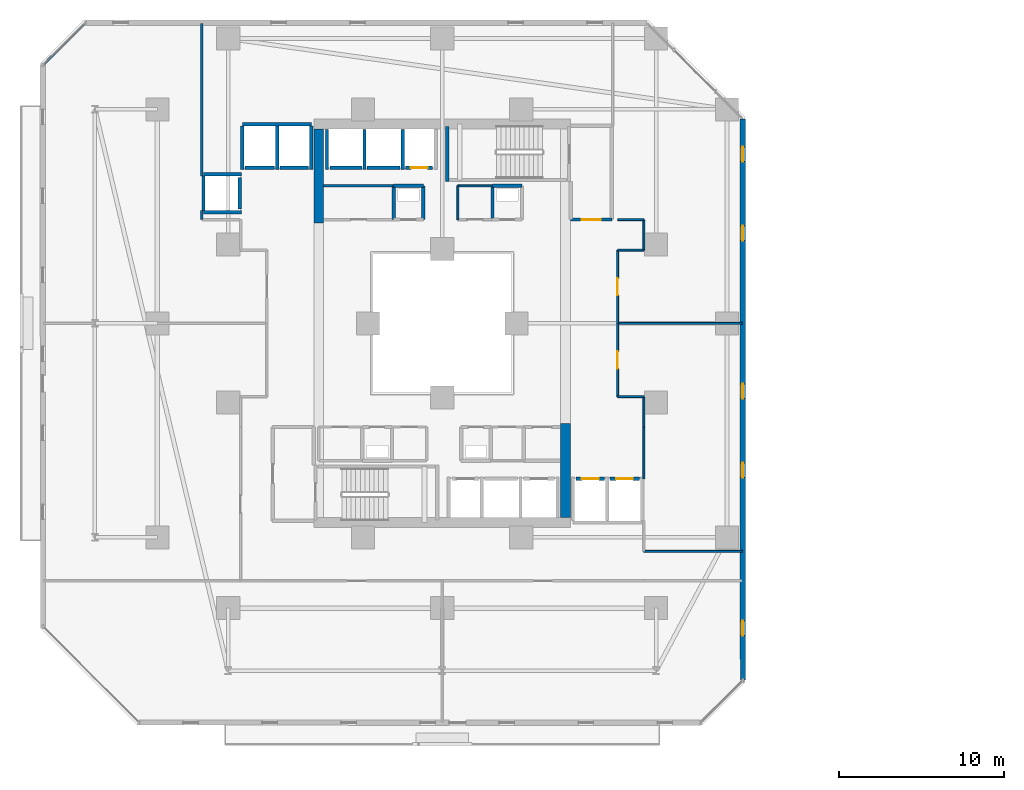
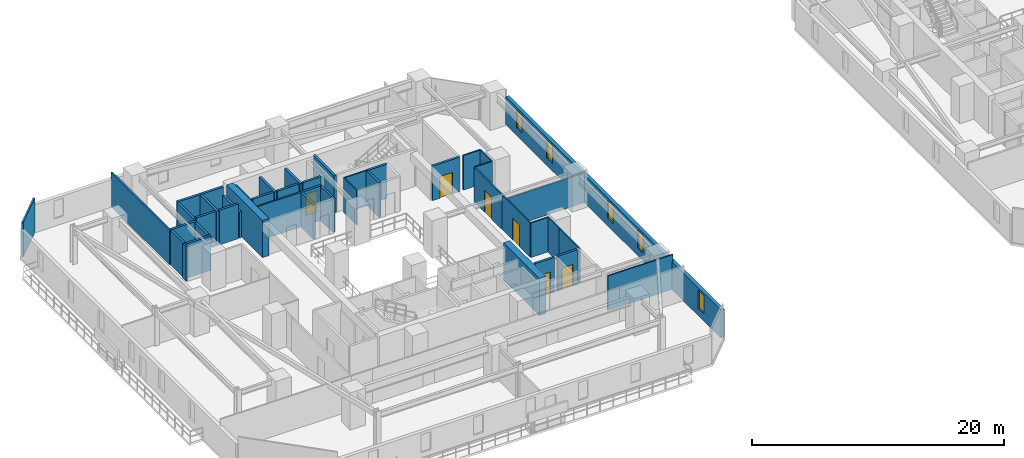
# One storey, part 20 of 33: 44 walls, 6 doors, 5 windows, 11 openings.
"""IFC4 building model written with IfcOpenShell, lengths in metres."""

from ifc_helpers import new_model, si_unit, direction, frame, frame_2d, origin, place, context, subcontext, project, spatial, rectangle, extrude, material, layer, layer_set, type_object, element, fill, save


model = new_model("IFC4")

# Units and contexts
model_context = context("Model", 3, precision=1e-05, world=origin(), true_north=direction((0.0, 1.0)))
body_context = subcontext(model_context, "Body", "Model", "MODEL_VIEW")
ifc_project = project(units=[si_unit("LENGTHUNIT", "METRE"), si_unit("AREAUNIT", "SQUARE_METRE"), si_unit("VOLUMEUNIT", "CUBIC_METRE"), si_unit("PLANEANGLEUNIT", "RADIAN"), si_unit("MASSUNIT", "GRAM", prefix="KILO")], contexts=[model_context])

# Site, building, storey
site_placement = place(None, origin())
site = spatial("IfcSite", under=ifc_project, at=site_placement, CompositionType="ELEMENT")
building_placement = place(site_placement, origin())
building = spatial("IfcBuilding", under=site, at=building_placement, Name="Thornwick Lancets Civic Towers", CompositionType="ELEMENT")
storey_placement = place(building_placement, frame((0.0, 0.0, 31.5)))
storey = spatial("IfcBuildingStorey", under=building, at=storey_placement, Name="L07", CompositionType="ELEMENT", Elevation=31.5)

# Wall, opening, door
ifc_material_1 = material(Name="Concrete blockwork C40/50", Category="masonry")
ifc_layer_1 = layer(ifc_material_1, 0.199951171875, Name="Concrete blockwork C40/50")
ifc_layer_set_1 = layer_set([ifc_layer_1], Name="Concrete blockwork C40/50")
wall_type_1 = type_object("IfcWallType", Name="WALL_COMP_200", PredefinedType="STANDARD", material=ifc_layer_set_1)
wall_1_placement = place(storey_placement, frame((33.6298828125, 17.550048828125, 0.0), z_axis=(0.0, 0.0, 1.0), x_axis=(1.0, 0.0, 0.0)))
wall_1 = element("IfcWall", 1, at=wall_1_placement, inside=storey, type_object=wall_type_1, Name="L07 Hoistway Front Wall PL-AL2", PredefinedType="STANDARD", context=body_context, shape_type="SweptSolid", body=[
    extrude(rectangle(XDim=1.740234375, YDim=0.199951171875, at=frame_2d((0.8701171875, 0.0))), origin(), (0.0, 0.0, 1.0), 3.340087890625),
])
opening_1_placement = place(wall_1_placement, frame((0.360107421875, 0.0, 0.0)))
opening_1 = element("IfcOpeningElement", 2, at=opening_1_placement, cuts=wall_1, Name="Opening LD-PL-AL2", PredefinedType="OPENING", context=body_context, shape_type="SweptSolid", body=[
    extrude(rectangle(XDim=1.02001953125, YDim=2.06005859375, at=frame_2d((0.510009765625, 1.030029296875))), frame((0.0, 0.10986328125, 0.0), z_axis=(0.0, -1.0, 0.0), x_axis=(1.0, 0.0, 0.0)), (0.0, 0.0, 1.0), 0.219970703125),
])
ifc_material_2 = material(Name="Brushed bronze stainless steel", Category="steel")
door_type_1 = type_object("IfcDoorType", Name="DOOR_LIFT_SLIDE", OperationType="SLIDING_TO_LEFT", PredefinedType="DOOR", material=ifc_material_2)
door_1_placement = place(opening_1_placement, origin())
door_1 = element("IfcDoor", 3, at=door_1_placement, inside=storey, type_object=door_type_1, Name="L07 Sliding Lift Landing Door LD-PL-AL2", OperationType="SLIDING_TO_LEFT", OverallHeight=2.06005859375, OverallWidth=1.02001953125, PredefinedType="DOOR", context=body_context, shape_type="SweptSolid", body=[
    extrude(rectangle(XDim=1.02001953125, YDim=2.06005859375, at=frame_2d((0.510009765625, 1.030029296875))), frame((0.0, 0.02490234375, 0.0), z_axis=(0.0, -1.0, 0.0), x_axis=(1.0, 0.0, 0.0)), (0.0, 0.0, 1.0), 0.050048828125),
])
fill(opening_1, door_1)

wall_2_placement = place(storey_placement, frame((35.679931640625, 17.550048828125, 0.0), z_axis=(0.0, 0.0, 1.0), x_axis=(1.0, 0.0, 0.0)))
wall_2 = element("IfcWall", 4, at=wall_2_placement, inside=storey, type_object=wall_type_1, Name="L07 Hoistway Front Wall PL-AL3", PredefinedType="STANDARD", context=body_context, shape_type="SweptSolid", body=[
    extrude(rectangle(XDim=1.7900390625, YDim=0.199951171875, at=frame_2d((0.89501953125, 0.0))), origin(), (0.0, 0.0, 1.0), 3.340087890625),
])
opening_2_placement = place(wall_2_placement, frame((0.385009765625, 0.0, 0.0)))
opening_2 = element("IfcOpeningElement", 5, at=opening_2_placement, cuts=wall_2, Name="Opening LD-PL-AL3", PredefinedType="OPENING", context=body_context, shape_type="SweptSolid", body=[
    extrude(rectangle(XDim=1.02001953125, YDim=2.06005859375, at=frame_2d((0.510009765625, 1.030029296875))), frame((0.0, 0.10986328125, 0.0), z_axis=(0.0, -1.0, 0.0), x_axis=(1.0, 0.0, 0.0)), (0.0, 0.0, 1.0), 0.219970703125),
])
door_2_placement = place(opening_2_placement, origin())
door_2 = element("IfcDoor", 6, at=door_2_placement, inside=storey, type_object=door_type_1, Name="L07 Sliding Lift Landing Door LD-PL-AL3", OperationType="SLIDING_TO_LEFT", OverallHeight=2.06005859375, OverallWidth=1.02001953125, PredefinedType="DOOR", context=body_context, shape_type="SweptSolid", body=[
    extrude(rectangle(XDim=1.02001953125, YDim=2.06005859375, at=frame_2d((0.510009765625, 1.030029296875))), frame((0.0, 0.02490234375, 0.0), z_axis=(0.0, -1.0, 0.0), x_axis=(1.0, 0.0, 0.0)), (0.0, 0.0, 1.0), 0.050048828125),
])
fill(opening_2, door_2)

wall_3_placement = place(storey_placement, frame((24.919921875, 36.449951171875, 0.0), z_axis=(0.0, 0.0, 1.0), x_axis=(-1.0, 0.0, 0.0)))
wall_3 = element("IfcWall", 7, at=wall_3_placement, inside=storey, type_object=wall_type_1, Name="L07 Hoistway Front Wall FL-A2", PredefinedType="STANDARD", context=body_context, shape_type="SweptSolid", body=[
    extrude(rectangle(XDim=1.639892578125, YDim=0.199951171875, at=frame_2d((0.81982421875, 0.0))), origin(), (0.0, 0.0, 1.0), 3.340087890625),
])
opening_3_placement = place(wall_3_placement, frame((0.31005859375, 0.0, 0.0)))
opening_3 = element("IfcOpeningElement", 8, at=opening_3_placement, cuts=wall_3, Name="Opening LD-FL-A2", PredefinedType="OPENING", context=body_context, shape_type="SweptSolid", body=[
    extrude(rectangle(XDim=1.02001953125, YDim=2.06005859375, at=frame_2d((0.510009765625, 1.030029296875))), frame((0.0, 0.10986328125, 0.0), z_axis=(0.0, -1.0, 0.0), x_axis=(1.0, 0.0, 0.0)), (0.0, 0.0, 1.0), 0.219970703125),
])
door_3_placement = place(opening_3_placement, origin())
door_3 = element("IfcDoor", 9, at=door_3_placement, inside=storey, type_object=door_type_1, Name="L07 Sliding Lift Landing Door LD-FL-A2", OperationType="SLIDING_TO_LEFT", OverallHeight=2.06005859375, OverallWidth=1.02001953125, PredefinedType="DOOR", context=body_context, shape_type="SweptSolid", body=[
    extrude(rectangle(XDim=1.02001953125, YDim=2.06005859375, at=frame_2d((0.510009765625, 1.030029296875))), frame((0.0, 0.02490234375, 0.0), z_axis=(0.0, -1.0, 0.0), x_axis=(1.0, 0.0, 0.0)), (0.0, 0.0, 1.0), 0.050048828125),
])
fill(opening_3, door_3)

# Walls
wall_4_placement = place(storey_placement, frame((22.919921875, 36.449951171875, 0.0), z_axis=(0.0, 0.0, 1.0), x_axis=(-1.0, 0.0, 0.0)))
element("IfcWall", 10, at=wall_4_placement, inside=storey, type_object=wall_type_1, Name="L07 Hoistway Front Wall PL-AH2", PredefinedType="STANDARD", context=body_context, shape_type="SweptSolid", body=[
    extrude(rectangle(XDim=1.989990234375, YDim=0.199951171875, at=frame_2d((0.9951171875, 0.0))), origin(), (0.0, 0.0, 1.0), 3.340087890625),
])
wall_5_placement = place(storey_placement, frame((20.6201171875, 36.449951171875, 0.0), z_axis=(0.0, 0.0, 1.0), x_axis=(-1.0, 0.0, 0.0)))
element("IfcWall", 11, at=wall_5_placement, inside=storey, type_object=wall_type_1, Name="L07 Hoistway Front Wall PL-AH3", PredefinedType="STANDARD", context=body_context, shape_type="SweptSolid", body=[
    extrude(rectangle(XDim=1.940185546875, YDim=0.199951171875, at=frame_2d((0.97021484375, 0.0))), origin(), (0.0, 0.0, 1.0), 3.340087890625),
])
wall_6_placement = place(storey_placement, frame((17.3701171875, 36.449951171875, 0.0), z_axis=(0.0, 0.0, 1.0), x_axis=(-1.0, 0.0, 0.0)))
element("IfcWall", 12, at=wall_6_placement, inside=storey, type_object=wall_type_1, Name="L07 Hoistway Front Wall PL-AM1", PredefinedType="STANDARD", context=body_context, shape_type="SweptSolid", body=[
    extrude(rectangle(XDim=1.740234375, YDim=0.199951171875, at=frame_2d((0.8701171875, 0.0))), origin(), (0.0, 0.0, 1.0), 3.340087890625),
])
wall_7_placement = place(storey_placement, frame((15.320068359375, 36.449951171875, 0.0), z_axis=(0.0, 0.0, 1.0), x_axis=(-1.0, 0.0, 0.0)))
element("IfcWall", 13, at=wall_7_placement, inside=storey, type_object=wall_type_1, Name="L07 Hoistway Front Wall PL-AM2", PredefinedType="STANDARD", context=body_context, shape_type="SweptSolid", body=[
    extrude(rectangle(XDim=1.7900390625, YDim=0.199951171875, at=frame_2d((0.89501953125, 0.0))), origin(), (0.0, 0.0, 1.0), 3.340087890625),
])
wall_8_placement = place(storey_placement, frame((13.199951171875, 33.929931640625, 0.0), z_axis=(0.0, 0.0, 1.0), x_axis=(0.0, 1.0, 0.0)))
element("IfcWall", 14, at=wall_8_placement, inside=storey, type_object=wall_type_1, Name="L07 Hoistway Front Wall PL-AM3", PredefinedType="STANDARD", context=body_context, shape_type="SweptSolid", body=[
    extrude(rectangle(XDim=1.940185546875, YDim=0.199951171875, at=frame_2d((0.97021484375, 0.0))), origin(), (0.0, 0.0, 1.0), 3.340087890625),
])
for number, where, z_axis, x_axis, name in (
    (15, (23.10009765625, 36.35205078125, 0.0), (0.0, 0.0, 1.0), (0.0, 1.0, 0.0), "L07 Hoistway Shaft Wall FL-A2 W"),
    (16, (20.77490234375, 36.35205078125, 0.0), (0.0, 0.0, 1.0), (0.0, 1.0, 0.0), "L07 Hoistway Shaft Wall PL-AH2 W"),
    (17, (18.5, 36.35205078125, 0.0), (0.0, 0.0, 1.0), (0.0, 1.0, 0.0), "L07 Hoistway Shaft Wall PL-AH3 W"),
):
    element("IfcWall", number, at=place(storey_placement, frame(where, z_axis=z_axis, x_axis=x_axis)), inside=storey, type_object=wall_type_1, Name=name, PredefinedType="STANDARD", context=body_context, shape_type="SweptSolid", body=[
        extrude(rectangle(XDim=2.43603515625, YDim=0.199951171875, at=frame_2d((1.218017578125, 0.0))), origin(), (0.0, 0.0, 1.0), 3.340087890625),
    ])
wall_9_placement = place(storey_placement, frame((13.35205078125, 39.10009765625, 0.0), z_axis=(0.0, 0.0, 1.0), x_axis=(1.0, 0.0, 0.0)))
element("IfcWall", 18, at=wall_9_placement, inside=storey, type_object=wall_type_1, Name="L07 Hoistway Shaft Wall PL-AM1 N", PredefinedType="STANDARD", context=body_context, shape_type="SweptSolid", body=[
    extrude(rectangle(XDim=4.196044921875, YDim=0.199951171875, at=frame_2d((2.09814453125, 0.0))), origin(), (0.0, 0.0, 1.0), 3.340087890625),
])
wall_10_placement = place(storey_placement, frame((17.550048828125, 36.35205078125, 0.0), z_axis=(0.0, 0.0, 1.0), x_axis=(0.0, 1.0, 0.0)))
element("IfcWall", 19, at=wall_10_placement, inside=storey, type_object=wall_type_1, Name="L07 Hoistway Shaft Wall PL-AM1 E", PredefinedType="STANDARD", context=body_context, shape_type="SweptSolid", body=[
    extrude(rectangle(XDim=2.635986328125, YDim=0.199951171875, at=frame_2d((1.31787109375, 0.0))), origin(), (0.0, 0.0, 1.0), 2.544921875),
])
for number, where, z_axis, x_axis, name in (
    (20, (15.47509765625, 36.35205078125, 0.0), (0.0, 0.0, 1.0), (0.0, 1.0, 0.0), "L07 Hoistway Shaft Wall PL-AM1 W"),
    (21, (13.35009765625, 36.35205078125, 0.0), (0.0, 0.0, 1.0), (0.0, 1.0, 0.0), "L07 Hoistway Shaft Wall PL-AM2 W"),
):
    element("IfcWall", number, at=place(storey_placement, frame(where, z_axis=z_axis, x_axis=x_axis)), inside=storey, type_object=wall_type_1, Name=name, PredefinedType="STANDARD", context=body_context, shape_type="SweptSolid", body=[
        extrude(rectangle(XDim=2.635986328125, YDim=0.199951171875, at=frame_2d((1.31787109375, 0.0))), origin(), (0.0, 0.0, 1.0), 3.340087890625),
    ])
for number, where, z_axis, x_axis, name in (
    (22, (11.001953125, 36.050048828125, 0.0), (0.0, 0.0, 1.0), (1.0, 0.0, 0.0), "L07 Hoistway Shaft Wall PL-AM3 N"),
    (23, (11.001953125, 33.75, 0.0), (0.0, 0.0, 1.0), (1.0, 0.0, 0.0), "L07 Hoistway Shaft Wall PL-AM3 S"),
):
    element("IfcWall", number, at=place(storey_placement, frame(where, z_axis=z_axis, x_axis=x_axis)), inside=storey, type_object=wall_type_1, Name=name, PredefinedType="STANDARD", context=body_context, shape_type="SweptSolid", body=[
        extrude(rectangle(XDim=2.296142578125, YDim=0.199951171875, at=frame_2d((1.14794921875, 0.0))), origin(), (0.0, 0.0, 1.0), 3.340087890625),
    ])
wall_11_placement = place(storey_placement, frame((11.0, 33.862060546875, 0.0), z_axis=(0.0, 0.0, 1.0), x_axis=(0.0, 1.0, 0.0)))
element("IfcWall", 24, at=wall_11_placement, inside=storey, type_object=wall_type_1, Name="L07 Hoistway Shaft Wall PL-AM3 W", PredefinedType="STANDARD", context=body_context, shape_type="SweptSolid", body=[
    extrude(rectangle(XDim=2.075927734375, YDim=0.199951171875, at=frame_2d((1.0380859375, 0.0))), origin(), (0.0, 0.0, 1.0), 3.340087890625),
])

# Wall, opening, door
wall_12_placement = place(storey_placement, frame((33.300048828125, 33.300048828125, 0.0), z_axis=(0.0, 0.0, 1.0), x_axis=(1.0, 0.0, 0.0)))
wall_12 = element("IfcWall", 25, at=wall_12_placement, inside=storey, type_object=wall_type_1, Name="L07 Partition L07-A-FFLOB2 E1", PredefinedType="STANDARD", context=body_context, shape_type="SweptSolid", body=[
    extrude(rectangle(XDim=2.5, YDim=0.199951171875, at=frame_2d((1.25, 0.0))), origin(), (0.0, 0.0, 1.0), 3.340087890625),
])
opening_4_placement = place(wall_12_placement, frame((0.675048828125, 0.0, 0.0)))
opening_4 = element("IfcOpeningElement", 26, at=opening_4_placement, cuts=wall_12, Name="Opening D-L07-0362", PredefinedType="OPENING", context=body_context, shape_type="SweptSolid", body=[
    extrude(rectangle(XDim=1.14990234375, YDim=2.10009765625, at=frame_2d((0.574951171875, 1.050048828125))), frame((0.0, 0.10986328125, 0.0), z_axis=(0.0, -1.0, 0.0), x_axis=(1.0, 0.0, 0.0)), (0.0, 0.0, 1.0), 0.219970703125),
])
ifc_material_3 = material(Name="Glazed fire-resisting steel", Category="steel")
door_type_2 = type_object("IfcDoorType", Name="DOOR_LOBBY_FD60", OperationType="NOTDEFINED", PredefinedType="DOOR", material=ifc_material_3)
door_4_placement = place(opening_4_placement, origin())
door_4 = element("IfcDoor", 27, at=door_4_placement, inside=storey, type_object=door_type_2, Name="L07 North Firefighting Lobby 2 Door", OperationType="SINGLE_SWING_LEFT", OverallHeight=2.10009765625, OverallWidth=1.14990234375, PredefinedType="DOOR", context=body_context, shape_type="SweptSolid", body=[
    extrude(rectangle(XDim=1.14990234375, YDim=2.10009765625, at=frame_2d((0.574951171875, 1.050048828125))), frame((0.0, 0.02490234375, 0.0), z_axis=(0.0, -1.0, 0.0), x_axis=(1.0, 0.0, 0.0)), (0.0, 0.0, 1.0), 0.050048828125),
])
fill(opening_4, door_4)

# Walls
wall_13_placement = place(storey_placement, frame((24.35009765625, 33.300048828125, 0.0), z_axis=(0.0, 0.0, 1.0), x_axis=(0.0, 1.0, 0.0)))
element("IfcWall", 28, at=wall_13_placement, inside=storey, type_object=wall_type_1, Name="L07 Partition L07-A-DUCT2 E2", PredefinedType="STANDARD", context=body_context, shape_type="SweptSolid", body=[
    extrude(rectangle(XDim=2.050048828125, YDim=0.199951171875, at=frame_2d((1.02490234375, 0.0))), origin(), (0.0, 0.0, 1.0), 3.340087890625),
])
wall_14_placement = place(storey_placement, frame((24.35009765625, 35.35009765625, 0.0), z_axis=(0.0, 0.0, 1.0), x_axis=(-1.0, 0.0, 0.0)))
element("IfcWall", 29, at=wall_14_placement, inside=storey, type_object=wall_type_1, Name="L07 Partition L07-A-DUCT2 E3", PredefinedType="STANDARD", context=body_context, shape_type="SweptSolid", body=[
    extrude(rectangle(XDim=1.800048828125, YDim=0.199951171875, at=frame_2d((0.89990234375, 0.0))), origin(), (0.0, 0.0, 1.0), 3.340087890625),
])
wall_15_placement = place(storey_placement, frame((22.550048828125, 35.35009765625, 0.0), z_axis=(0.0, 0.0, 1.0), x_axis=(0.0, -1.0, 0.0)))
element("IfcWall", 30, at=wall_15_placement, inside=storey, type_object=wall_type_1, Name="L07 Partition L07-A-DUCT2 E4", PredefinedType="STANDARD", context=body_context, shape_type="SweptSolid", body=[
    extrude(rectangle(XDim=2.050048828125, YDim=0.199951171875, at=frame_2d((1.02490234375, 0.0))), origin(), (0.0, 0.0, 1.0), 3.340087890625),
])
wall_16_placement = place(storey_placement, frame((30.35009765625, 35.35009765625, 0.0), z_axis=(0.0, 0.0, 1.0), x_axis=(-1.0, 0.0, 0.0)))
element("IfcWall", 31, at=wall_16_placement, inside=storey, type_object=wall_type_1, Name="L07 Partition L07-A-RISER2 E3", PredefinedType="STANDARD", context=body_context, shape_type="SweptSolid", body=[
    extrude(rectangle(XDim=1.800048828125, YDim=0.199951171875, at=frame_2d((0.89990234375, 0.0))), origin(), (0.0, 0.0, 1.0), 3.340087890625),
])
wall_17_placement = place(storey_placement, frame((28.550048828125, 35.35009765625, 0.0), z_axis=(0.0, 0.0, 1.0), x_axis=(0.0, -1.0, 0.0)))
element("IfcWall", 32, at=wall_17_placement, inside=storey, type_object=wall_type_1, Name="L07 Partition L07-A-RISER2 E4", PredefinedType="STANDARD", context=body_context, shape_type="SweptSolid", body=[
    extrude(rectangle(XDim=2.050048828125, YDim=0.199951171875, at=frame_2d((1.02490234375, 0.0))), origin(), (0.0, 0.0, 1.0), 3.340087890625),
])
ifc_material_4 = material(Name="Concrete C60/75", Category="concrete")
ifc_layer_2 = layer(ifc_material_4, 0.60009765625, Name="Concrete C60/75")
ifc_layer_set_2 = layer_set([ifc_layer_2], Name="Concrete C60/75")
wall_type_2 = type_object("IfcWallType", Name="WALL_CORE_600", PredefinedType="SHEAR", material=ifc_layer_set_2)
for number, where, z_axis, x_axis, name in (
    (33, (33.0, 15.199951171875, 0.0), (0.0, 0.0, 1.0), (0.0, 1.0, 0.0), "L07 Split Core A1 Shear Wall E"),
    (34, (18.0, 33.10009765625, 0.0), (0.0, 0.0, 1.0), (0.0, 1.0, 0.0), "L07 Split Core A2 Shear Wall W"),
):
    element("IfcWall", number, at=place(storey_placement, frame(where, z_axis=z_axis, x_axis=x_axis)), inside=storey, type_object=wall_type_2, Name=name, PredefinedType="SHEAR", context=body_context, shape_type="SweptSolid", body=[
        extrude(rectangle(XDim=5.699951171875, YDim=0.60009765625, at=frame_2d((2.85009765625, 0.0))), origin(), (0.0, 0.0, 1.0), 3.60009765625),
    ])

# Wall, openings, windows
ifc_material_5 = material(Name="Insulated buff terracotta rainscreen on concrete C40/50", Category="masonry")
ifc_layer_3 = layer(ifc_material_5, 0.320068359375, Name="Insulated buff terracotta rainscreen on concrete C40/50")
ifc_layer_set_3 = layer_set([ifc_layer_3], Name="Insulated buff terracotta rainscreen on concrete C40/50")
wall_type_3 = type_object("IfcWallType", Name="WALL_EXT_TERRA_320", PredefinedType="STANDARD", material=ifc_layer_set_3)
wall_18_placement = place(storey_placement, frame((43.764892578125, 5.31884765625, 0.0), z_axis=(0.0, 0.0, 1.0), x_axis=(-0.000307837676, 0.999999952618, 0.0)))
wall_18 = element("IfcWall", 35, at=wall_18_placement, inside=storey, type_object=wall_type_3, Name="L07 Tower A Terracotta Facade Wall E2", PredefinedType="STANDARD", context=body_context, shape_type="SweptSolid", body=[
    extrude(rectangle(XDim=34.1025390625, YDim=0.320068359375, at=frame_2d((17.05126953125, 0.0))), origin(), (0.0, 0.0, 1.0), 2.699951171875),
])
opening_5_placement = place(wall_18_placement, frame((2.699951171875, 0.0, 0.719970703125)))
opening_5 = element("IfcOpeningElement", 36, at=opening_5_placement, cuts=wall_18, Name="Opening WL-01", PredefinedType="OPENING", context=body_context, shape_type="SweptSolid", body=[
    extrude(rectangle(XDim=0.89990234375, YDim=1.75, at=frame_2d((0.449951171875, 0.875))), frame((0.0, 0.169921875, 0.0), z_axis=(0.0, -1.0, 0.0), x_axis=(1.0, 0.0, 0.0)), (0.0, 0.0, 1.0), 0.340087890625),
])
opening_6_placement = place(wall_18_placement, frame((12.300048828125, 0.0, 0.719970703125)))
opening_6 = element("IfcOpeningElement", 37, at=opening_6_placement, cuts=wall_18, Name="Opening WL-01", PredefinedType="OPENING", context=body_context, shape_type="SweptSolid", body=[
    extrude(rectangle(XDim=0.89990234375, YDim=1.75, at=frame_2d((0.449951171875, 0.875))), frame((0.0, 0.169921875, 0.0), z_axis=(0.0, -1.0, 0.0), x_axis=(1.0, 0.0, 0.0)), (0.0, 0.0, 1.0), 0.340087890625),
])
opening_7_placement = place(wall_18_placement, frame((17.10009765625, 0.0, 0.719970703125)))
opening_7 = element("IfcOpeningElement", 38, at=opening_7_placement, cuts=wall_18, Name="Opening WL-01", PredefinedType="OPENING", context=body_context, shape_type="SweptSolid", body=[
    extrude(rectangle(XDim=0.89990234375, YDim=1.75, at=frame_2d((0.449951171875, 0.875))), frame((0.0, 0.169921875, 0.0), z_axis=(0.0, -1.0, 0.0), x_axis=(1.0, 0.0, 0.0)), (0.0, 0.0, 1.0), 0.340087890625),
])
opening_8_placement = place(wall_18_placement, frame((26.699951171875, 0.0, 0.719970703125)))
opening_8 = element("IfcOpeningElement", 39, at=opening_8_placement, cuts=wall_18, Name="Opening WL-01", PredefinedType="OPENING", context=body_context, shape_type="SweptSolid", body=[
    extrude(rectangle(XDim=0.89990234375, YDim=1.75, at=frame_2d((0.449951171875, 0.875))), frame((0.0, 0.169921875, 0.0), z_axis=(0.0, -1.0, 0.0), x_axis=(1.0, 0.0, 0.0)), (0.0, 0.0, 1.0), 0.340087890625),
])
opening_9_placement = place(wall_18_placement, frame((31.5, 0.0, 0.719970703125)))
opening_9 = element("IfcOpeningElement", 40, at=opening_9_placement, cuts=wall_18, Name="Opening WL-01", PredefinedType="OPENING", context=body_context, shape_type="SweptSolid", body=[
    extrude(rectangle(XDim=0.89990234375, YDim=1.75, at=frame_2d((0.449951171875, 0.875))), frame((0.0, 0.169921875, 0.0), z_axis=(0.0, -1.0, 0.0), x_axis=(1.0, 0.0, 0.0)), (0.0, 0.0, 1.0), 0.340087890625),
])
ifc_material_6 = material(Name="Clear low-e double glazing in bronze frame", Category="glass")
window_type = type_object("IfcWindowType", Name="WIN_LANCET_900", PartitioningType="SINGLE_PANEL", PredefinedType="WINDOW", material=ifc_material_6)
window_1_placement = place(opening_5_placement, origin())
window_1 = element("IfcWindow", 41, at=window_1_placement, inside=storey, type_object=window_type, Name="L07 Tower A Staggered Lancet Window E2-1", OverallHeight=1.75, OverallWidth=0.89990234375, PartitioningType="SINGLE_PANEL", PredefinedType="WINDOW", context=body_context, shape_type="SweptSolid", body=[
    extrude(rectangle(XDim=0.89990234375, YDim=1.75, at=frame_2d((0.449951171875, 0.875))), frame((0.0, 0.030029296875, 0.0), z_axis=(0.0, -1.0, 0.0), x_axis=(1.0, 0.0, 0.0)), (0.0, 0.0, 1.0), 0.06005859375),
])
fill(opening_5, window_1)
window_2_placement = place(opening_6_placement, origin())
window_2 = element("IfcWindow", 42, at=window_2_placement, inside=storey, type_object=window_type, Name="L07 Tower A Staggered Lancet Window E2-2", OverallHeight=1.75, OverallWidth=0.89990234375, PartitioningType="SINGLE_PANEL", PredefinedType="WINDOW", context=body_context, shape_type="SweptSolid", body=[
    extrude(rectangle(XDim=0.89990234375, YDim=1.75, at=frame_2d((0.449951171875, 0.875))), frame((0.0, 0.030029296875, 0.0), z_axis=(0.0, -1.0, 0.0), x_axis=(1.0, 0.0, 0.0)), (0.0, 0.0, 1.0), 0.06005859375),
])
fill(opening_6, window_2)
window_3_placement = place(opening_7_placement, origin())
window_3 = element("IfcWindow", 43, at=window_3_placement, inside=storey, type_object=window_type, Name="L07 Tower A Staggered Lancet Window E2-3", OverallHeight=1.75, OverallWidth=0.89990234375, PartitioningType="SINGLE_PANEL", PredefinedType="WINDOW", context=body_context, shape_type="SweptSolid", body=[
    extrude(rectangle(XDim=0.89990234375, YDim=1.75, at=frame_2d((0.449951171875, 0.875))), frame((0.0, 0.030029296875, 0.0), z_axis=(0.0, -1.0, 0.0), x_axis=(1.0, 0.0, 0.0)), (0.0, 0.0, 1.0), 0.06005859375),
])
fill(opening_7, window_3)
window_4_placement = place(opening_8_placement, origin())
window_4 = element("IfcWindow", 44, at=window_4_placement, inside=storey, type_object=window_type, Name="L07 Tower A Staggered Lancet Window E2-4", OverallHeight=1.75, OverallWidth=0.89990234375, PartitioningType="SINGLE_PANEL", PredefinedType="WINDOW", context=body_context, shape_type="SweptSolid", body=[
    extrude(rectangle(XDim=0.89990234375, YDim=1.75, at=frame_2d((0.449951171875, 0.875))), frame((0.0, 0.030029296875, 0.0), z_axis=(0.0, -1.0, 0.0), x_axis=(1.0, 0.0, 0.0)), (0.0, 0.0, 1.0), 0.06005859375),
])
fill(opening_8, window_4)
window_5_placement = place(opening_9_placement, origin())
window_5 = element("IfcWindow", 45, at=window_5_placement, inside=storey, type_object=window_type, Name="L07 Tower A Staggered Lancet Window E2-5", OverallHeight=1.75, OverallWidth=0.89990234375, PartitioningType="SINGLE_PANEL", PredefinedType="WINDOW", context=body_context, shape_type="SweptSolid", body=[
    extrude(rectangle(XDim=0.89990234375, YDim=1.75, at=frame_2d((0.449951171875, 0.875))), frame((0.0, 0.030029296875, 0.0), z_axis=(0.0, -1.0, 0.0), x_axis=(1.0, 0.0, 0.0)), (0.0, 0.0, 1.0), 0.06005859375),
])
fill(opening_9, window_5)

# Walls
ifc_material_7 = material(Name="Acoustic gypsum board partition")
ifc_layer_4 = layer(ifc_material_7, 0.1201171875, Name="Acoustic gypsum board partition")
ifc_layer_set_4 = layer_set([ifc_layer_4], Name="Acoustic gypsum board partition")
wall_type_4 = type_object("IfcWallType", Name="WALL_PART_120", PredefinedType="PARTITIONING", material=ifc_layer_set_4)
wall_19_placement = place(storey_placement, frame((26.449951171875, 33.300048828125, 0.0), z_axis=(0.0, 0.0, 1.0), x_axis=(0.0, 1.0, 0.0)))
element("IfcWall", 46, at=wall_19_placement, inside=storey, type_object=wall_type_4, Name="L07 Partition L07-A-ITR E1", PredefinedType="PARTITIONING", context=body_context, shape_type="SweptSolid", body=[
    extrude(rectangle(XDim=2.050048828125, YDim=0.1201171875, at=frame_2d((1.02490234375, 0.0))), origin(), (0.0, 0.0, 1.0), 3.340087890625),
])
wall_20_placement = place(storey_placement, frame((26.449951171875, 35.35009765625, 0.0), z_axis=(0.0, 0.0, 1.0), x_axis=(1.0, 0.0, 0.0)))
element("IfcWall", 47, at=wall_20_placement, inside=storey, type_object=wall_type_4, Name="L07 Partition L07-A-ITR E2", PredefinedType="PARTITIONING", context=body_context, shape_type="SweptSolid", body=[
    extrude(rectangle(XDim=2.10009765625, YDim=0.1201171875, at=frame_2d((1.050048828125, 0.0))), origin(), (0.0, 0.0, 1.0), 3.340087890625),
])
wall_21_placement = place(storey_placement, frame((37.75, 17.550048828125, 0.0), z_axis=(0.0, 0.0, 1.0), x_axis=(0.0, 1.0, 0.0)))
element("IfcWall", 48, at=wall_21_placement, inside=storey, type_object=wall_type_4, Name="L07 Partition L07-A-E1 E1", PredefinedType="PARTITIONING", context=body_context, shape_type="SweptSolid", body=[
    extrude(rectangle(XDim=3.14990234375, YDim=0.1201171875, at=frame_2d((1.574951171875, 0.0))), origin(), (0.0, 0.0, 1.0), 3.340087890625),
])
wall_22_placement = place(storey_placement, frame((37.75, 20.699951171875, 0.0), z_axis=(0.0, 0.0, 1.0), x_axis=(0.0, 1.0, 0.0)))
element("IfcWall", 49, at=wall_22_placement, inside=storey, type_object=wall_type_4, Name="L07 Partition L07-A-E1 E2", PredefinedType="PARTITIONING", context=body_context, shape_type="SweptSolid", body=[
    extrude(rectangle(XDim=1.85009765625, YDim=0.1201171875, at=frame_2d((0.925048828125, 0.0))), origin(), (0.0, 0.0, 1.0), 3.340087890625),
])
wall_23_placement = place(storey_placement, frame((37.75, 22.550048828125, 0.0), z_axis=(0.0, 0.0, 1.0), x_axis=(-1.0, 0.0, 0.0)))
element("IfcWall", 50, at=wall_23_placement, inside=storey, type_object=wall_type_4, Name="L07 Partition L07-A-E1 E3", PredefinedType="PARTITIONING", context=body_context, shape_type="SweptSolid", body=[
    extrude(rectangle(XDim=1.60009765625, YDim=0.1201171875, at=frame_2d((0.800048828125, 0.0))), origin(), (0.0, 0.0, 1.0), 3.340087890625),
])

# Wall, opening, door
wall_24_placement = place(storey_placement, frame((36.14990234375, 22.550048828125, 0.0), z_axis=(0.0, 0.0, 1.0), x_axis=(0.0, 1.0, 0.0)))
wall_24 = element("IfcWall", 51, at=wall_24_placement, inside=storey, type_object=wall_type_4, Name="L07 Partition L07-A-E1 E4", PredefinedType="PARTITIONING", context=body_context, shape_type="SweptSolid", body=[
    extrude(rectangle(XDim=4.449951171875, YDim=0.1201171875, at=frame_2d((2.22509765625, 0.0))), origin(), (0.0, 0.0, 1.0), 3.340087890625),
])
opening_10_placement = place(wall_24_placement, frame((1.699951171875, 0.0, 0.0)))
opening_10 = element("IfcOpeningElement", 52, at=opening_10_placement, cuts=wall_24, Name="Opening D-L07-0387", PredefinedType="OPENING", context=body_context, shape_type="SweptSolid", body=[
    extrude(rectangle(XDim=1.050048828125, YDim=2.10009765625, at=frame_2d((0.52490234375, 1.050048828125))), frame((0.0, 0.070068359375, 0.0), z_axis=(0.0, -1.0, 0.0), x_axis=(1.0, 0.0, 0.0)), (0.0, 0.0, 1.0), 0.14013671875),
])
ifc_material_8 = material(Name="Glazed European oak executive doorset")
door_type_3 = type_object("IfcDoorType", Name="DOOR_OFFICE_1050", OperationType="NOTDEFINED", PredefinedType="DOOR", material=ifc_material_8)
door_5_placement = place(opening_10_placement, origin())
door_5 = element("IfcDoor", 53, at=door_5_placement, inside=storey, type_object=door_type_3, Name="L07 Tower A Secretariat Open Office E1 Door", OperationType="SINGLE_SWING_RIGHT", OverallHeight=2.10009765625, OverallWidth=1.050048828125, PredefinedType="DOOR", context=body_context, shape_type="SweptSolid", body=[
    extrude(rectangle(XDim=1.050048828125, YDim=2.10009765625, at=frame_2d((0.52490234375, 1.050048828125))), frame((0.0, 0.02490234375, 0.0), z_axis=(0.0, -1.0, 0.0), x_axis=(1.0, 0.0, 0.0)), (0.0, 0.0, 1.0), 0.050048828125),
])
fill(opening_10, door_5)

# Walls
wall_25_placement = place(storey_placement, frame((36.14990234375, 27.0, 0.0), z_axis=(0.0, 0.0, 1.0), x_axis=(1.0, 0.0, 0.0)))
element("IfcWall", 54, at=wall_25_placement, inside=storey, type_object=wall_type_4, Name="L07 Partition L07-A-E1 E5", PredefinedType="PARTITIONING", context=body_context, shape_type="SweptSolid", body=[
    extrude(rectangle(XDim=7.570068359375, YDim=0.1201171875, at=frame_2d((3.78515625, 0.0))), origin(), (0.0, 0.0, 1.0), 2.877685546875),
])
wall_26_placement = place(storey_placement, frame((43.719970703125, 13.14990234375, 0.0), z_axis=(0.0, 0.0, 1.0), x_axis=(-1.0, 0.0, 0.0)))
element("IfcWall", 55, at=wall_26_placement, inside=storey, type_object=wall_type_4, Name="L07 Partition L07-A-E1 E7", PredefinedType="PARTITIONING", context=body_context, shape_type="SweptSolid", body=[
    extrude(rectangle(XDim=5.969970703125, YDim=0.1201171875, at=frame_2d((2.98486328125, 0.0))), origin(), (0.0, 0.0, 1.0), 3.340087890625),
])
wall_27_placement = place(storey_placement, frame((36.14990234375, 31.449951171875, 0.0), z_axis=(0.0, 0.0, 1.0), x_axis=(1.0, 0.0, 0.0)))
element("IfcWall", 56, at=wall_27_placement, inside=storey, type_object=wall_type_4, Name="L07 Partition L07-A-E2 E1", PredefinedType="PARTITIONING", context=body_context, shape_type="SweptSolid", body=[
    extrude(rectangle(XDim=1.60009765625, YDim=0.1201171875, at=frame_2d((0.800048828125, 0.0))), origin(), (0.0, 0.0, 1.0), 3.340087890625),
])
wall_28_placement = place(storey_placement, frame((37.75, 31.449951171875, 0.0), z_axis=(0.0, 0.0, 1.0), x_axis=(0.0, 1.0, 0.0)))
element("IfcWall", 57, at=wall_28_placement, inside=storey, type_object=wall_type_4, Name="L07 Partition L07-A-E2 E2", PredefinedType="PARTITIONING", context=body_context, shape_type="SweptSolid", body=[
    extrude(rectangle(XDim=1.85009765625, YDim=0.1201171875, at=frame_2d((0.925048828125, 0.0))), origin(), (0.0, 0.0, 1.0), 3.340087890625),
])
wall_29_placement = place(storey_placement, frame((37.75, 33.300048828125, 0.0), z_axis=(0.0, 0.0, 1.0), x_axis=(-1.0, 0.0, 0.0)))
element("IfcWall", 58, at=wall_29_placement, inside=storey, type_object=wall_type_4, Name="L07 Partition L07-A-E2 E3", PredefinedType="PARTITIONING", context=body_context, shape_type="SweptSolid", body=[
    extrude(rectangle(XDim=1.60009765625, YDim=0.1201171875, at=frame_2d((0.800048828125, 0.0))), origin(), (0.0, 0.0, 1.0), 3.340087890625),
])

# Wall, opening, door
wall_30_placement = place(storey_placement, frame((36.14990234375, 27.0, 0.0), z_axis=(0.0, 0.0, 1.0), x_axis=(0.0, 1.0, 0.0)))
wall_30 = element("IfcWall", 59, at=wall_30_placement, inside=storey, type_object=wall_type_4, Name="L07 Partition L07-A-E2 E10", PredefinedType="PARTITIONING", context=body_context, shape_type="SweptSolid", body=[
    extrude(rectangle(XDim=4.449951171875, YDim=0.1201171875, at=frame_2d((2.22509765625, 0.0))), origin(), (0.0, 0.0, 1.0), 3.340087890625),
])
opening_11_placement = place(wall_30_placement, frame((1.699951171875, 0.0, 0.0)))
opening_11 = element("IfcOpeningElement", 60, at=opening_11_placement, cuts=wall_30, Name="Opening D-L07-0388", PredefinedType="OPENING", context=body_context, shape_type="SweptSolid", body=[
    extrude(rectangle(XDim=1.050048828125, YDim=2.10009765625, at=frame_2d((0.52490234375, 1.050048828125))), frame((0.0, 0.070068359375, 0.0), z_axis=(0.0, -1.0, 0.0), x_axis=(1.0, 0.0, 0.0)), (0.0, 0.0, 1.0), 0.14013671875),
])
door_6_placement = place(opening_11_placement, origin())
door_6 = element("IfcDoor", 61, at=door_6_placement, inside=storey, type_object=door_type_3, Name="L07 Tower A Visitors Reception and Waiting Door", OperationType="SINGLE_SWING_LEFT", OverallHeight=2.10009765625, OverallWidth=1.050048828125, PredefinedType="DOOR", context=body_context, shape_type="SweptSolid", body=[
    extrude(rectangle(XDim=1.050048828125, YDim=2.10009765625, at=frame_2d((0.52490234375, 1.050048828125))), frame((0.0, 0.02490234375, 0.0), z_axis=(0.0, -1.0, 0.0), x_axis=(1.0, 0.0, 0.0)), (0.0, 0.0, 1.0), 0.050048828125),
])
fill(opening_11, door_6)

# Walls
ifc_material_9 = material(Name="Twin-stud acoustic gypsum board")
ifc_layer_5 = layer(ifc_material_9, 0.14990234375, Name="Twin-stud acoustic gypsum board")
ifc_layer_set_5 = layer_set([ifc_layer_5], Name="Twin-stud acoustic gypsum board")
wall_type_5 = type_object("IfcWallType", Name="WALL_PART_150", PredefinedType="PARTITIONING", material=ifc_layer_set_5)
wall_31_placement = place(storey_placement, frame((18.300048828125, 35.35009765625, 0.0), z_axis=(0.0, 0.0, 1.0), x_axis=(1.0, 0.0, 0.0)))
element("IfcWall", 62, at=wall_31_placement, inside=storey, type_object=wall_type_5, Name="L07 Partition L07-A-FWC E2", PredefinedType="PARTITIONING", context=body_context, shape_type="SweptSolid", body=[
    extrude(rectangle(XDim=4.25, YDim=0.14990234375, at=frame_2d((2.125, 0.0))), origin(), (0.0, 0.0, 1.0), 3.340087890625),
])
wall_32_placement = place(storey_placement, frame((1.280029296875, 42.725341796875, 0.0), z_axis=(0.0, 0.0, 1.0), x_axis=(0.707106781187, 0.707106781187, 0.0)))
element("IfcWall", 63, at=wall_32_placement, inside=storey, type_object=wall_type_5, Name="L07 Partition L07-A-W2 E7", PredefinedType="PARTITIONING", context=body_context, shape_type="SweptSolid", body=[
    extrude(rectangle(XDim=3.52783203125, YDim=0.14990234375, at=frame_2d((1.763916015625, 0.0))), origin(), (0.0, 0.0, 1.0), 3.340087890625),
])
wall_33_placement = place(storey_placement, frame((10.89990234375, 45.219970703125, 0.0), z_axis=(0.0, 0.0, 1.0), x_axis=(0.0, -1.0, 0.0)))
element("IfcWall", 64, at=wall_33_placement, inside=storey, type_object=wall_type_5, Name="L07 Partition L07-A-W2 E9", PredefinedType="PARTITIONING", context=body_context, shape_type="SweptSolid", body=[
    extrude(rectangle(XDim=9.281982421875, YDim=0.14990234375, at=frame_2d((4.64111328125, 0.0))), origin(), (0.0, 0.0, 1.0), 3.340087890625),
])
wall_34_placement = place(storey_placement, frame((10.89990234375, 33.862060546875, 0.0), z_axis=(0.0, 0.0, 1.0), x_axis=(0.0, -1.0, 0.0)))
element("IfcWall", 65, at=wall_34_placement, inside=storey, type_object=wall_type_5, Name="L07 Partition L07-A-W2 E9", PredefinedType="PARTITIONING", context=body_context, shape_type="SweptSolid", body=[
    extrude(rectangle(XDim=0.56201171875, YDim=0.14990234375, at=frame_2d((0.281005859375, 0.0))), origin(), (0.0, 0.0, 1.0), 3.340087890625),
])
ifc_material_10 = material(Name="Concrete C40/50", Category="concrete")
ifc_layer_6 = layer(ifc_material_10, 0.199951171875, Name="Concrete C40/50")
ifc_layer_set_6 = layer_set([ifc_layer_6], Name="Concrete C40/50")
wall_type_6 = type_object("IfcWallType", Name="WALL_SHAFT_200", PredefinedType="SHEAR", material=ifc_layer_set_6)
wall_35_placement = place(storey_placement, frame((25.800048828125, 35.60009765625, 0.0), z_axis=(0.0, 0.0, 1.0), x_axis=(0.0, 1.0, 0.0)))
element("IfcWall", 66, at=wall_35_placement, inside=storey, type_object=wall_type_6, Name="L07 ST-A2 Fire Stair Core Wall FAR", PredefinedType="SHEAR", context=body_context, shape_type="SweptSolid", body=[
    extrude(rectangle(XDim=3.349853515625, YDim=0.199951171875, at=frame_2d((1.6748046875, 0.0))), origin(), (0.0, 0.0, 1.0), 3.60009765625),
])

save(model, "model.ifc")
